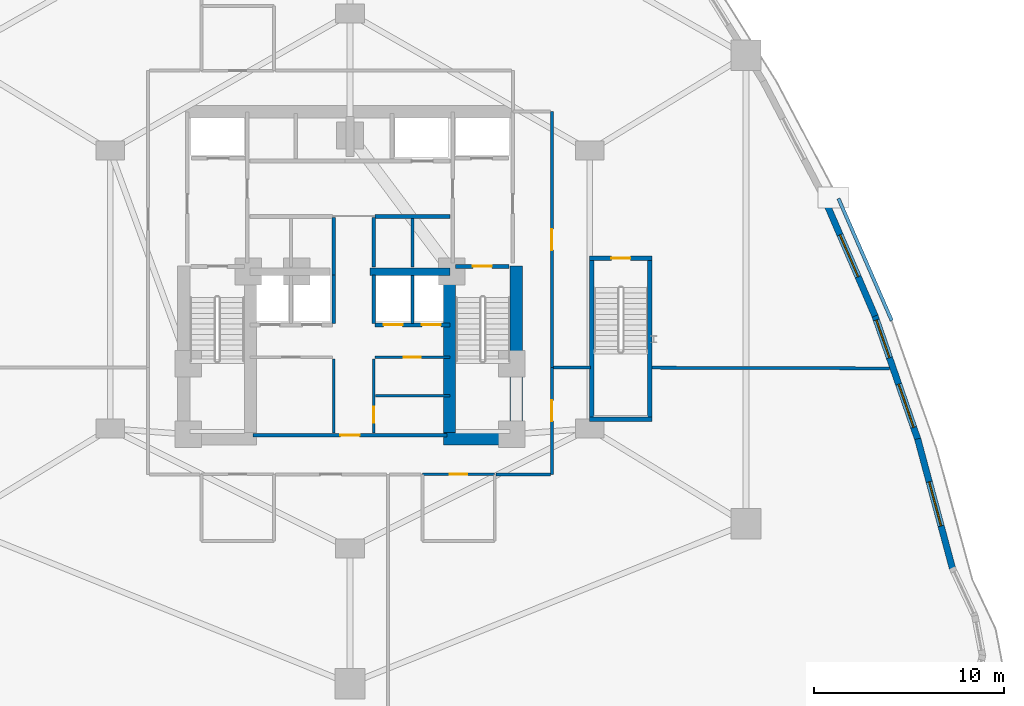
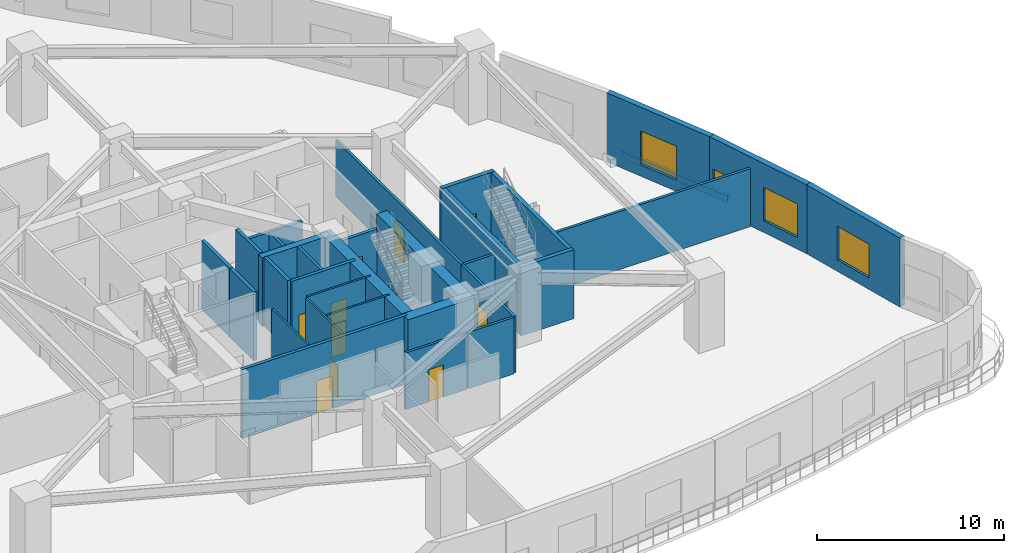
# One storey, part 16 of 23: 32 walls, 10 doors, 4 windows, 14 openings.
"""IFC4 building model written with IfcOpenShell, lengths in metres."""

from ifc_helpers import new_model, si_unit, direction, frame, frame_2d, origin, place, context, subcontext, project, spatial, rectangle, extrude, material, layer, layer_set, type_object, element, fill, save


model = new_model("IFC4")

# Units and contexts
model_context = context("Model", 3, precision=1e-05, world=origin(), true_north=direction((0.0, 1.0)))
body_context = subcontext(model_context, "Body", "Model", "MODEL_VIEW")
ifc_project = project(units=[si_unit("LENGTHUNIT", "METRE"), si_unit("AREAUNIT", "SQUARE_METRE"), si_unit("VOLUMEUNIT", "CUBIC_METRE"), si_unit("PLANEANGLEUNIT", "RADIAN"), si_unit("MASSUNIT", "GRAM", prefix="KILO")], contexts=[model_context])

# Site, building, storey
site_placement = place(None, origin())
site = spatial("IfcSite", under=ifc_project, at=site_placement, CompositionType="ELEMENT")
building_placement = place(site_placement, origin())
building = spatial("IfcBuilding", under=site, at=building_placement, Name="Miruveldt Soraemaru", CompositionType="ELEMENT")
storey_placement = place(building_placement, frame((0.0, 0.0, 14.39990234375)))
storey = spatial("IfcBuildingStorey", under=building, at=storey_placement, Name="L04", CompositionType="ELEMENT", Elevation=14.39990234375)

# Wall
ifc_material_1 = material(Name="Concrete C70/85 (70 MPa)", Category="concrete")
ifc_layer_1 = layer(ifc_material_1, 0.5, Name="Concrete C70/85 (70 MPa)", Category="concrete")
ifc_layer_set_1 = layer_set([ifc_layer_1], Name="Concrete C70/85 (70 MPa)")
wall_type_1 = type_object("IfcWallType", Name="WALL-BW-500", PredefinedType="SHEAR", material=ifc_layer_set_1)
wall_1_placement = place(storey_placement, frame((45.050048828125, 44.050048828125, 0.0), z_axis=(0.0, 0.0, 1.0), x_axis=(1.0, 0.0, 0.0)))
element("IfcWall", 1, at=wall_1_placement, inside=storey, type_object=wall_type_1, Name="L04 Core Buttress Shear Wall BE", PredefinedType="SHEAR", context=body_context, shape_type="SweptSolid", body=[
    extrude(rectangle(XDim=4.199951171875, YDim=0.39990234375, at=frame_2d((2.10009765625, 0.0))), origin(), (0.0, 0.0, 1.0), 4.5),
])

# Wall, opening, door
ifc_material_2 = material(Name="Concrete C50/60 (50 MPa)", Category="concrete")
ifc_layer_2 = layer(ifc_material_2, 0.419921875, Name="Concrete C50/60 (50 MPa)", Category="concrete")
ifc_layer_set_2 = layer_set([ifc_layer_2], Name="Concrete C50/60 (50 MPa)")
wall_type_2 = type_object("IfcWallType", Name="WALL-CW-420", PredefinedType="SHEAR", material=ifc_layer_set_2)
wall_2_placement = place(storey_placement, frame((56.580078125, 44.75, 0.0), z_axis=(0.0, 0.0, 1.0), x_axis=(1.0, 0.0, 0.0)))
wall_2 = element("IfcWall", 2, at=wall_2_placement, inside=storey, type_object=wall_type_2, Name="L04 Podium Garden Feature Stair ST-4 Structural Shaft Wall N", PredefinedType="SHEAR", context=body_context, shape_type="SweptSolid", body=[
    extrude(rectangle(XDim=3.2900390625, YDim=0.239990234375, at=frame_2d((1.64501953125, 0.0))), origin(), (0.0, 0.0, 1.0), 4.5),
])
opening_1_placement = place(wall_2_placement, frame((1.14501953125, 0.0, 0.0)))
opening_1 = element("IfcOpeningElement", 3, at=opening_1_placement, cuts=wall_2, Name="Opening FD1", PredefinedType="OPENING", context=body_context, shape_type="SweptSolid", body=[
    extrude(rectangle(XDim=1.0, YDim=2.14990234375, at=frame_2d((0.5, 1.074951171875))), frame((0.0, 0.1298828125, 0.0), z_axis=(0.0, -1.0, 0.0), x_axis=(1.0, 0.0, 0.0)), (0.0, 0.0, 1.0), 0.260009765625),
])
ifc_material_3 = material(Name="Anodised aluminium EN AW-6063 T6", Category="aluminium")
door_type_1 = type_object("IfcDoorType", Name="DOOR-FD1-1000", OperationType="NOTDEFINED", PredefinedType="DOOR", material=ifc_material_3)
door_1_placement = place(opening_1_placement, frame((1.0, 0.0, 0.0), z_axis=(0.0, 0.0, 1.0), x_axis=(-1.0, 0.0, 0.0)))
door_1 = element("IfcDoor", 4, at=door_1_placement, inside=storey, type_object=door_type_1, Name="L04 Podium Garden Feature Stair ST-4 Fire Door", OperationType="SINGLE_SWING_LEFT", OverallHeight=2.14990234375, OverallWidth=1.0, PredefinedType="DOOR", context=body_context, shape_type="SweptSolid", body=[
    extrude(rectangle(XDim=1.0, YDim=2.14990234375, at=frame_2d((0.5, 1.074951171875))), frame((0.0, 0.02490234375, 0.0), z_axis=(0.0, -1.0, 0.0), x_axis=(1.0, 0.0, 0.0)), (0.0, 0.0, 1.0), 0.050048828125),
])
fill(opening_1, door_1)

# Walls
for number, where, z_axis, x_axis, name in (
    (5, (56.699951171875, 36.35009765625, 0.0), (0.0, 0.0, 1.0), (0.0, 1.0, 0.0), "L04 Podium Garden Feature Stair ST-4 Structural Shaft Wall W"),
    (6, (59.75, 36.35009765625, 0.0), (0.0, 0.0, 1.0), (0.0, 1.0, 0.0), "L04 Podium Garden Feature Stair ST-4 Structural Shaft Wall E"),
):
    element("IfcWall", number, at=place(storey_placement, frame(where, z_axis=z_axis, x_axis=x_axis)), inside=storey, type_object=wall_type_2, Name=name, PredefinedType="SHEAR", context=body_context, shape_type="SweptSolid", body=[
        extrude(rectangle(XDim=8.349853515625, YDim=0.239990234375, at=frame_2d((4.1748046875, 0.0))), origin(), (0.0, 0.0, 1.0), 4.5),
    ])
wall_3_placement = place(storey_placement, frame((56.580078125, 36.300048828125, 0.0), z_axis=(0.0, 0.0, 1.0), x_axis=(1.0, 0.0, 0.0)))
element("IfcWall", 7, at=wall_3_placement, inside=storey, type_object=wall_type_2, Name="L04 Podium Garden Feature Stair ST-4 Structural Shaft Wall S", PredefinedType="SHEAR", context=body_context, shape_type="SweptSolid", body=[
    extrude(rectangle(XDim=3.2900390625, YDim=0.239990234375, at=frame_2d((1.64501953125, 0.0))), origin(), (0.0, 0.0, 1.0), 4.5),
])
ifc_material_4 = material(Name="Concrete C80/95 (80 MPa)", Category="concrete")
ifc_layer_3 = layer(ifc_material_4, 0.64990234375, Name="Concrete C80/95 (80 MPa)", Category="concrete")
ifc_layer_set_3 = layer_set([ifc_layer_3], Name="Concrete C80/95 (80 MPa)")
wall_type_3 = type_object("IfcWallType", Name="WALL-CW-650", PredefinedType="SHEAR", material=ifc_layer_set_3)
wall_4_placement = place(storey_placement, frame((48.89990234375, 35.27490234375, 0.0), z_axis=(0.0, 0.0, 1.0), x_axis=(1.0, 0.0, 0.0)))
element("IfcWall", 8, at=wall_4_placement, inside=storey, type_object=wall_type_3, Name="L04 Central Core Shear Wall S2", PredefinedType="SHEAR", context=body_context, shape_type="SweptSolid", body=[
    extrude(rectangle(XDim=4.150146484375, YDim=0.64990234375, at=frame_2d((2.0751953125, 0.0))), origin(), (0.0, 0.0, 1.0), 4.5),
])
wall_5_placement = place(storey_placement, frame((52.72509765625, 34.949951171875, 0.0), z_axis=(0.0, 0.0, 1.0), x_axis=(0.0, 1.0, 0.0)))
element("IfcWall", 9, at=wall_5_placement, inside=storey, type_object=wall_type_3, Name="L04 Central Core Shear Wall E1", PredefinedType="SHEAR", context=body_context, shape_type="SweptSolid", body=[
    extrude(rectangle(XDim=9.400146484375, YDim=0.64990234375, at=frame_2d((4.7001953125, 0.0))), origin(), (0.0, 0.0, 1.0), 4.5),
])
wall_6_placement = place(storey_placement, frame((49.22509765625, 35.39990234375, 0.0), z_axis=(0.0, 0.0, 1.0), x_axis=(0.0, 1.0, 0.0)))
element("IfcWall", 10, at=wall_6_placement, inside=storey, type_object=wall_type_3, Name="L04 Central Core Shear Wall SE-INT", PredefinedType="SHEAR", context=body_context, shape_type="SweptSolid", body=[
    extrude(rectangle(XDim=8.9501953125, YDim=0.64990234375, at=frame_2d((4.47509765625, 0.0))), origin(), (0.0, 0.0, 1.0), 4.5),
])

# Wall, opening, window
ifc_material_5 = material(Name="Precast concrete C45/55 (45 MPa)", Category="concrete")
ifc_layer_4 = layer(ifc_material_5, 0.340087890625, Name="Precast concrete C45/55 (45 MPa)", Category="concrete")
ifc_layer_set_4 = layer_set([ifc_layer_4], Name="Precast concrete C45/55 (45 MPa)")
wall_type_4 = type_object("IfcWallType", Name="WALL-EXT-PC340", PredefinedType="SOLIDWALL", material=ifc_layer_set_4)
wall_7_placement = place(storey_placement, frame((75.65380859375, 28.427978515625, 0.0), z_axis=(0.0, 0.0, 1.0), x_axis=(-0.259611089852, 0.965713250414, 0.0)))
wall_7 = element("IfcWall", 11, at=wall_7_placement, inside=storey, type_object=wall_type_4, Name="L04 Precast Concrete Facade Wall 35", PredefinedType="SOLIDWALL", context=body_context, shape_type="SweptSolid", body=[
    extrude(rectangle(XDim=7.079345703125, YDim=0.340087890625, at=frame_2d((3.53955078125, 0.0))), origin(), (0.0, 0.0, 1.0), 4.5),
])
opening_2_placement = place(wall_7_placement, frame((2.340087890625, 0.0, 0.75)))
opening_2 = element("IfcOpeningElement", 12, at=opening_2_placement, cuts=wall_7, Name="Opening WN-5", PredefinedType="OPENING", context=body_context, shape_type="SweptSolid", body=[
    extrude(rectangle(XDim=2.39990234375, YDim=2.199951171875, at=frame_2d((1.199951171875, 1.10009765625))), frame((0.0, 0.18017578125, 0.0), z_axis=(0.0, -1.0, 0.0), x_axis=(1.0, 0.0, 0.0)), (0.0, 0.0, 1.0), 0.360107421875),
])
ifc_material_6 = material(Name="Triple low-e insulated glazing", Category="glass")
window_type_1 = type_object("IfcWindowType", Name="WIN-PODM-2400x2200", PartitioningType="SINGLE_PANEL", PredefinedType="WINDOW", material=ifc_material_6)
window_1_placement = place(opening_2_placement, origin())
window_1 = element("IfcWindow", 13, at=window_1_placement, inside=storey, type_object=window_type_1, Name="L04 Punched Triple-Glazed Window 35.1", OverallHeight=2.199951171875, OverallWidth=2.39990234375, PartitioningType="SINGLE_PANEL", PredefinedType="WINDOW", context=body_context, shape_type="SweptSolid", body=[
    extrude(rectangle(XDim=2.39990234375, YDim=2.199951171875, at=frame_2d((1.199951171875, 1.10009765625))), frame((0.0, 0.030029296875, 0.0), z_axis=(0.0, -1.0, 0.0), x_axis=(1.0, 0.0, 0.0)), (0.0, 0.0, 1.0), 0.06005859375),
])
fill(opening_2, window_1)

# Wall, openings, windows
wall_8_placement = place(storey_placement, frame((73.836669921875, 35.19775390625, 0.0), z_axis=(0.0, 0.0, 1.0), x_axis=(-0.327819293653, 0.944740446212, 0.0)))
wall_8 = element("IfcWall", 14, at=wall_8_placement, inside=storey, type_object=wall_type_4, Name="L04 Precast Concrete Facade Wall 36", PredefinedType="SOLIDWALL", context=body_context, shape_type="SweptSolid", body=[
    extrude(rectangle(XDim=6.9677734375, YDim=0.340087890625, at=frame_2d((3.48388671875, 0.0))), origin(), (0.0, 0.0, 1.0), 4.5),
])
opening_3_placement = place(wall_8_placement, frame((0.7060546875, 0.0, 0.75)))
opening_3 = element("IfcOpeningElement", 15, at=opening_3_placement, cuts=wall_8, Name="Opening WN-5", PredefinedType="OPENING", context=body_context, shape_type="SweptSolid", body=[
    extrude(rectangle(XDim=2.39990234375, YDim=2.199951171875, at=frame_2d((1.199951171875, 1.10009765625))), frame((0.0, 0.18017578125, 0.0), z_axis=(0.0, -1.0, 0.0), x_axis=(1.0, 0.0, 0.0)), (0.0, 0.0, 1.0), 0.360107421875),
])
opening_4_placement = place(wall_8_placement, frame((4.580078125, 0.0, 0.800048828125)))
opening_4 = element("IfcOpeningElement", 16, at=opening_4_placement, cuts=wall_8, Name="Opening WN-1", PredefinedType="OPENING", context=body_context, shape_type="SweptSolid", body=[
    extrude(rectangle(XDim=2.10009765625, YDim=1.699951171875, at=frame_2d((1.050048828125, 0.85009765625))), frame((0.0, 0.18017578125, 0.0), z_axis=(0.0, -1.0, 0.0), x_axis=(1.0, 0.0, 0.0)), (0.0, 0.0, 1.0), 0.360107421875),
])
window_2_placement = place(opening_3_placement, origin())
window_2 = element("IfcWindow", 17, at=window_2_placement, inside=storey, type_object=window_type_1, Name="L04 Punched Triple-Glazed Window 36.1", OverallHeight=2.199951171875, OverallWidth=2.39990234375, PartitioningType="SINGLE_PANEL", PredefinedType="WINDOW", context=body_context, shape_type="SweptSolid", body=[
    extrude(rectangle(XDim=2.39990234375, YDim=2.199951171875, at=frame_2d((1.199951171875, 1.10009765625))), frame((0.0, 0.030029296875, 0.0), z_axis=(0.0, -1.0, 0.0), x_axis=(1.0, 0.0, 0.0)), (0.0, 0.0, 1.0), 0.06005859375),
])
fill(opening_3, window_2)
window_type_2 = type_object("IfcWindowType", Name="WIN-PUNCH-2100x1700", PartitioningType="SINGLE_PANEL", PredefinedType="WINDOW", material=ifc_material_6)
window_3_placement = place(opening_4_placement, origin())
window_3 = element("IfcWindow", 18, at=window_3_placement, inside=storey, type_object=window_type_2, Name="L04 Punched Triple-Glazed Window 36.2", OverallHeight=1.699951171875, OverallWidth=2.10009765625, PartitioningType="SINGLE_PANEL", PredefinedType="WINDOW", context=body_context, shape_type="SweptSolid", body=[
    extrude(rectangle(XDim=2.10009765625, YDim=1.699951171875, at=frame_2d((1.050048828125, 0.85009765625))), frame((0.0, 0.030029296875, 0.0), z_axis=(0.0, -1.0, 0.0), x_axis=(1.0, 0.0, 0.0)), (0.0, 0.0, 1.0), 0.06005859375),
])
fill(opening_4, window_3)

# Wall, opening, window
wall_9_placement = place(storey_placement, frame((71.577880859375, 41.71533203125, 0.0), z_axis=(0.0, 0.0, 1.0), x_axis=(-0.396089940266, 0.91821171808, 0.0)))
wall_9 = element("IfcWall", 19, at=wall_9_placement, inside=storey, type_object=wall_type_4, Name="L04 Precast Concrete Facade Wall 37", PredefinedType="SOLIDWALL", context=body_context, shape_type="SweptSolid", body=[
    extrude(rectangle(XDim=6.892333984375, YDim=0.340087890625, at=frame_2d((3.4462890625, 0.0))), origin(), (0.0, 0.0, 1.0), 4.5),
])
opening_5_placement = place(wall_9_placement, frame((2.24609375, 0.0, 0.75)))
opening_5 = element("IfcOpeningElement", 20, at=opening_5_placement, cuts=wall_9, Name="Opening WN-5", PredefinedType="OPENING", context=body_context, shape_type="SweptSolid", body=[
    extrude(rectangle(XDim=2.39990234375, YDim=2.199951171875, at=frame_2d((1.199951171875, 1.10009765625))), frame((0.0, 0.18017578125, 0.0), z_axis=(0.0, -1.0, 0.0), x_axis=(1.0, 0.0, 0.0)), (0.0, 0.0, 1.0), 0.360107421875),
])
window_4_placement = place(opening_5_placement, origin())
window_4 = element("IfcWindow", 21, at=window_4_placement, inside=storey, type_object=window_type_1, Name="L04 Punched Triple-Glazed Window 37.1", OverallHeight=2.199951171875, OverallWidth=2.39990234375, PartitioningType="SINGLE_PANEL", PredefinedType="WINDOW", context=body_context, shape_type="SweptSolid", body=[
    extrude(rectangle(XDim=2.39990234375, YDim=2.199951171875, at=frame_2d((1.199951171875, 1.10009765625))), frame((0.0, 0.030029296875, 0.0), z_axis=(0.0, -1.0, 0.0), x_axis=(1.0, 0.0, 0.0)), (0.0, 0.0, 1.0), 0.06005859375),
])
fill(opening_5, window_4)

# Wall, opening, door
ifc_material_7 = material(Name="Gypsum plasterboard lining", Category="gypsum")
ifc_layer_5 = layer(ifc_material_7, 0.1201171875, Name="Gypsum plasterboard lining", Category="gypsum")
ifc_layer_set_5 = layer_set([ifc_layer_5], Name="Gypsum plasterboard lining")
wall_type_5 = type_object("IfcWallType", Name="WALL-INT-P120", PredefinedType="PARTITIONING", material=ifc_layer_set_5)
wall_10_placement = place(storey_placement, frame((45.320068359375, 39.550048828125, 0.0), z_axis=(0.0, 0.0, 1.0), x_axis=(1.0, 0.0, 0.0)))
wall_10 = element("IfcWall", 22, at=wall_10_placement, inside=storey, type_object=wall_type_5, Name="L04 Core Compartment Wall CSE-N", PredefinedType="PARTITIONING", context=body_context, shape_type="SweptSolid", body=[
    extrude(rectangle(XDim=3.929931640625, YDim=0.1201171875, at=frame_2d((1.96484375, 0.0))), origin(), (0.0, 0.0, 1.0), 4.5),
])
opening_6_placement = place(wall_10_placement, frame((1.510009765625, 0.0, 0.0)))
opening_6 = element("IfcOpeningElement", 23, at=opening_6_placement, cuts=wall_10, Name="Opening D4", PredefinedType="OPENING", context=body_context, shape_type="SweptSolid", body=[
    extrude(rectangle(XDim=0.8798828125, YDim=2.10009765625, at=frame_2d((0.43994140625, 1.050048828125))), frame((0.0, 0.070068359375, 0.0), z_axis=(0.0, -1.0, 0.0), x_axis=(1.0, 0.0, 0.0)), (0.0, 0.0, 1.0), 0.14013671875),
])
door_type_2 = type_object("IfcDoorType", Name="DOOR-INT-880", OperationType="NOTDEFINED", PredefinedType="DOOR", material=ifc_material_3)
door_2_placement = place(opening_6_placement, origin())
door_2 = element("IfcDoor", 24, at=door_2_placement, inside=storey, type_object=door_type_2, Name="L04 Fire Door", OperationType="SINGLE_SWING_LEFT", OverallHeight=2.10009765625, OverallWidth=0.8798828125, PredefinedType="DOOR", context=body_context, shape_type="SweptSolid", body=[
    extrude(rectangle(XDim=0.8798828125, YDim=2.10009765625, at=frame_2d((0.43994140625, 1.050048828125))), frame((0.0, 0.02490234375, 0.0), z_axis=(0.0, -1.0, 0.0), x_axis=(1.0, 0.0, 0.0)), (0.0, 0.0, 1.0), 0.050048828125),
])
fill(opening_6, door_2)

wall_11_placement = place(storey_placement, frame((45.25, 35.580078125, 0.0), z_axis=(0.0, 0.0, 1.0), x_axis=(0.0, 1.0, 0.0)))
wall_11 = element("IfcWall", 25, at=wall_11_placement, inside=storey, type_object=wall_type_5, Name="L04 Core Compartment Wall SP-ES", PredefinedType="PARTITIONING", context=body_context, shape_type="SweptSolid", body=[
    extrude(rectangle(XDim=3.869873046875, YDim=0.1201171875, at=frame_2d((1.93505859375, 0.0))), origin(), (0.0, 0.0, 1.0), 4.5),
])
opening_7_placement = place(wall_11_placement, frame((0.52490234375, 0.0, 0.0)))
opening_7 = element("IfcOpeningElement", 26, at=opening_7_placement, cuts=wall_11, Name="Opening FD3", PredefinedType="OPENING", context=body_context, shape_type="SweptSolid", body=[
    extrude(rectangle(XDim=0.85009765625, YDim=2.10009765625, at=frame_2d((0.425048828125, 1.050048828125))), frame((0.0, 0.070068359375, 0.0), z_axis=(0.0, -1.0, 0.0), x_axis=(1.0, 0.0, 0.0)), (0.0, 0.0, 1.0), 0.14013671875),
])
door_type_3 = type_object("IfcDoorType", Name="DOOR-FD3-850", OperationType="NOTDEFINED", PredefinedType="DOOR", material=ifc_material_3)
door_3_placement = place(opening_7_placement, frame((0.85009765625, 0.0, 0.0), z_axis=(0.0, 0.0, 1.0), x_axis=(-1.0, 0.0, 0.0)))
door_3 = element("IfcDoor", 27, at=door_3_placement, inside=storey, type_object=door_type_3, Name="L04 Fire Door", OperationType="SINGLE_SWING_LEFT", OverallHeight=2.10009765625, OverallWidth=0.85009765625, PredefinedType="DOOR", context=body_context, shape_type="SweptSolid", body=[
    extrude(rectangle(XDim=0.85009765625, YDim=2.10009765625, at=frame_2d((0.425048828125, 1.050048828125))), frame((0.0, 0.02490234375, 0.0), z_axis=(0.0, -1.0, 0.0), x_axis=(1.0, 0.0, 0.0)), (0.0, 0.0, 1.0), 0.050048828125),
])
fill(opening_7, door_3)

# Walls
wall_12_placement = place(storey_placement, frame((45.35009765625, 37.52001953125, 0.0), z_axis=(0.0, 0.0, 1.0), x_axis=(1.0, 0.0, 0.0)))
element("IfcWall", 28, at=wall_12_placement, inside=storey, type_object=wall_type_5, Name="L04 Core Compartment Wall CE3-H", PredefinedType="PARTITIONING", context=body_context, shape_type="SweptSolid", body=[
    extrude(rectangle(XDim=3.89990234375, YDim=0.1201171875, at=frame_2d((1.949951171875, 0.0))), origin(), (0.0, 0.0, 1.0), 4.5),
])
wall_13_placement = place(storey_placement, frame((43.14990234375, 35.580078125, 0.0), z_axis=(0.0, 0.0, 1.0), x_axis=(0.0, 1.0, 0.0)))
element("IfcWall", 29, at=wall_13_placement, inside=storey, type_object=wall_type_5, Name="L04 Core Compartment Wall SP-WS", PredefinedType="PARTITIONING", context=body_context, shape_type="SweptSolid", body=[
    extrude(rectangle(XDim=3.869873046875, YDim=0.1201171875, at=frame_2d((1.93505859375, 0.0))), origin(), (0.0, 0.0, 1.0), 4.5),
])

# Wall, opening, door
ifc_layer_6 = layer(ifc_material_7, 0.14990234375, Name="Gypsum plasterboard lining", Category="gypsum")
ifc_layer_set_6 = layer_set([ifc_layer_6], Name="Gypsum plasterboard lining")
wall_type_6 = type_object("IfcWallType", Name="WALL-INT-PLUMB", PredefinedType="PLUMBINGWALL", material=ifc_layer_set_6)
wall_14_placement = place(storey_placement, frame((47.800048828125, 33.39990234375, 0.0), z_axis=(0.0, 0.0, 1.0), x_axis=(1.0, 0.0, 0.0)))
wall_14 = element("IfcWall", 30, at=wall_14_placement, inside=storey, type_object=wall_type_6, Name="L04 Partition Wall 3", PredefinedType="PLUMBINGWALL", context=body_context, shape_type="SweptSolid", body=[
    extrude(rectangle(XDim=3.800048828125, YDim=0.14990234375, at=frame_2d((1.89990234375, 0.0))), origin(), (0.0, 0.0, 1.0), 3.68798828125),
])
opening_8_placement = place(wall_14_placement, frame((1.449951171875, 0.0, 0.0)))
opening_8 = element("IfcOpeningElement", 31, at=opening_8_placement, cuts=wall_14, Name="Opening D3", PredefinedType="OPENING", context=body_context, shape_type="SweptSolid", body=[
    extrude(rectangle(XDim=0.89990234375, YDim=2.10009765625, at=frame_2d((0.449951171875, 1.050048828125))), frame((0.0, 0.0849609375, 0.0), z_axis=(0.0, -1.0, 0.0), x_axis=(1.0, 0.0, 0.0)), (0.0, 0.0, 1.0), 0.169921875),
])
door_type_4 = type_object("IfcDoorType", Name="DOOR-INT-900", OperationType="NOTDEFINED", PredefinedType="DOOR", material=ifc_material_3)
door_4_placement = place(opening_8_placement, origin())
door_4 = element("IfcDoor", 32, at=door_4_placement, inside=storey, type_object=door_type_4, Name="L04 Accessible WC Door", OperationType="SINGLE_SWING_RIGHT", OverallHeight=2.10009765625, OverallWidth=0.89990234375, PredefinedType="DOOR", context=body_context, shape_type="SweptSolid", body=[
    extrude(rectangle(XDim=0.89990234375, YDim=2.10009765625, at=frame_2d((0.449951171875, 1.050048828125))), frame((0.0, 0.02490234375, 0.0), z_axis=(0.0, -1.0, 0.0), x_axis=(1.0, 0.0, 0.0)), (0.0, 0.0, 1.0), 0.050048828125),
])
fill(opening_8, door_4)

ifc_material_8 = material(Name="Concrete C40/50 (40 MPa)", Category="concrete")
ifc_layer_7 = layer(ifc_material_8, 0.159912109375, Name="Concrete C40/50 (40 MPa)", Category="concrete")
ifc_layer_set_7 = layer_set([ifc_layer_7], Name="Concrete C40/50 (40 MPa)")
wall_type_7 = type_object("IfcWallType", Name="WALL-INT-RC160", PredefinedType="SOLIDWALL", material=ifc_layer_set_7)
wall_15_placement = place(storey_placement, frame((54.60009765625, 39.0, 0.0), z_axis=(0.0, 0.0, 1.0), x_axis=(0.0, 1.0, 0.0)))
wall_15 = element("IfcWall", 33, at=wall_15_placement, inside=storey, type_object=wall_type_7, Name="L04 Partition Wall 12", PredefinedType="SOLIDWALL", context=body_context, shape_type="SweptSolid", body=[
    extrude(rectangle(XDim=13.449951171875, YDim=0.159912109375, at=frame_2d((6.72509765625, 0.0))), origin(), (0.0, 0.0, 1.0), 3.68798828125),
])
opening_9_placement = place(wall_15_placement, frame((6.175048828125, 0.0, 0.0)))
opening_9 = element("IfcOpeningElement", 34, at=opening_9_placement, cuts=wall_15, Name="Opening FD1A", PredefinedType="OPENING", context=body_context, shape_type="SweptSolid", body=[
    extrude(rectangle(XDim=1.10009765625, YDim=2.14990234375, at=frame_2d((0.550048828125, 1.074951171875))), frame((0.0, 0.08984375, 0.0), z_axis=(0.0, -1.0, 0.0), x_axis=(1.0, 0.0, 0.0)), (0.0, 0.0, 1.0), 0.179931640625),
])
door_type_5 = type_object("IfcDoorType", Name="DOOR-FD1-1100", OperationType="NOTDEFINED", PredefinedType="DOOR", material=ifc_material_3)
door_5_placement = place(opening_9_placement, origin())
door_5 = element("IfcDoor", 35, at=door_5_placement, inside=storey, type_object=door_type_5, Name="L04 Garden Terrace Tea Salon Entrance Door", OperationType="SINGLE_SWING_RIGHT", OverallHeight=2.14990234375, OverallWidth=1.10009765625, PredefinedType="DOOR", context=body_context, shape_type="SweptSolid", body=[
    extrude(rectangle(XDim=1.10009765625, YDim=2.14990234375, at=frame_2d((0.550048828125, 1.074951171875))), frame((0.0, 0.02490234375, 0.0), z_axis=(0.0, -1.0, 0.0), x_axis=(1.0, 0.0, 0.0)), (0.0, 0.0, 1.0), 0.050048828125),
])
fill(opening_9, door_5)

wall_16_placement = place(storey_placement, frame((54.60009765625, 33.39990234375, 0.0), z_axis=(0.0, 0.0, 1.0), x_axis=(0.0, 1.0, 0.0)))
wall_16 = element("IfcWall", 36, at=wall_16_placement, inside=storey, type_object=wall_type_7, Name="L04 Partition Wall 9", PredefinedType="SOLIDWALL", context=body_context, shape_type="SweptSolid", body=[
    extrude(rectangle(XDim=5.60009765625, YDim=0.159912109375, at=frame_2d((2.800048828125, 0.0))), origin(), (0.0, 0.0, 1.0), 3.68798828125),
])
opening_10_placement = place(wall_16_placement, frame((2.7900390625, 0.0, 0.0)))
opening_10 = element("IfcOpeningElement", 37, at=opening_10_placement, cuts=wall_16, Name="Opening FD1A", PredefinedType="OPENING", context=body_context, shape_type="SweptSolid", body=[
    extrude(rectangle(XDim=1.10009765625, YDim=2.14990234375, at=frame_2d((0.550048828125, 1.074951171875))), frame((0.0, 0.08984375, 0.0), z_axis=(0.0, -1.0, 0.0), x_axis=(1.0, 0.0, 0.0)), (0.0, 0.0, 1.0), 0.179931640625),
])
door_6_placement = place(opening_10_placement, origin())
door_6 = element("IfcDoor", 38, at=door_6_placement, inside=storey, type_object=door_type_5, Name="L04 Acoustic Music and Seminar Room Entrance Door", OperationType="SINGLE_SWING_RIGHT", OverallHeight=2.14990234375, OverallWidth=1.10009765625, PredefinedType="DOOR", context=body_context, shape_type="SweptSolid", body=[
    extrude(rectangle(XDim=1.10009765625, YDim=2.14990234375, at=frame_2d((0.550048828125, 1.074951171875))), frame((0.0, 0.02490234375, 0.0), z_axis=(0.0, -1.0, 0.0), x_axis=(1.0, 0.0, 0.0)), (0.0, 0.0, 1.0), 0.050048828125),
])
fill(opening_10, door_6)

# Walls
wall_17_placement = place(storey_placement, frame((72.333984375, 38.965087890625, 0.0), z_axis=(0.0, 0.0, 1.0), x_axis=(-0.999996102122, 0.002792085337, 0.0)))
element("IfcWall", 39, at=wall_17_placement, inside=storey, type_object=wall_type_7, Name="L04 Partition Wall 28", PredefinedType="SOLIDWALL", context=body_context, shape_type="SweptSolid", body=[
    extrude(rectangle(XDim=12.50390625, YDim=0.159912109375, at=frame_2d((6.251953125, 0.0))), origin(), (0.0, 0.0, 1.0), 3.7880859375),
])
wall_18_placement = place(storey_placement, frame((51.679931640625, 33.39990234375, 0.0), z_axis=(0.0, 0.0, 1.0), x_axis=(1.0, 0.0, 0.0)))
element("IfcWall", 40, at=wall_18_placement, inside=storey, type_object=wall_type_7, Name="L04 Partition Wall 8", PredefinedType="SOLIDWALL", context=body_context, shape_type="SweptSolid", body=[
    extrude(rectangle(XDim=2.840087890625, YDim=0.159912109375, at=frame_2d((1.419921875, 0.0))), origin(), (0.0, 0.0, 1.0), 3.68798828125),
])
wall_19_placement = place(storey_placement, frame((47.280029296875, 44.300048828125, 0.0), z_axis=(0.0, 0.0, 1.0), x_axis=(0.0, 1.0, 0.0)))
element("IfcWall", 41, at=wall_19_placement, inside=storey, type_object=wall_type_7, Name="L04 Core Compartment Wall PLM-DE", PredefinedType="SOLIDWALL", context=body_context, shape_type="SweptSolid", body=[
    extrude(rectangle(XDim=2.550048828125, YDim=0.159912109375, at=frame_2d((1.27490234375, 0.0))), origin(), (0.0, 0.0, 1.0), 3.588134765625),
])
wall_20_placement = place(storey_placement, frame((47.280029296875, 41.320068359375, 0.0), z_axis=(0.0, 0.0, 1.0), x_axis=(0.0, 1.0, 0.0)))
element("IfcWall", 42, at=wall_20_placement, inside=storey, type_object=wall_type_7, Name="L04 Core Compartment Wall PLL-DE", PredefinedType="SOLIDWALL", context=body_context, shape_type="SweptSolid", body=[
    extrude(rectangle(XDim=2.530029296875, YDim=0.159912109375, at=frame_2d((1.26513671875, 0.0))), origin(), (0.0, 0.0, 1.0), 4.5),
])
wall_21_placement = place(storey_placement, frame((56.6201171875, 39.0, 0.0), z_axis=(0.0, 0.0, 1.0), x_axis=(-1.0, 0.0, 0.0)))
element("IfcWall", 43, at=wall_21_placement, inside=storey, type_object=wall_type_7, Name="L04 Partition Wall 29", PredefinedType="SOLIDWALL", context=body_context, shape_type="SweptSolid", body=[
    extrude(rectangle(XDim=1.940185546875, YDim=0.159912109375, at=frame_2d((0.97021484375, 0.0))), origin(), (0.0, 0.0, 1.0), 3.68798828125),
])

# Wall, opening, door
ifc_layer_8 = layer(ifc_material_8, 0.199951171875, Name="Concrete C40/50 (40 MPa)", Category="concrete")
ifc_layer_set_8 = layer_set([ifc_layer_8], Name="Concrete C40/50 (40 MPa)")
wall_type_8 = type_object("IfcWallType", Name="WALL-INT-RC200", PredefinedType="SOLIDWALL", material=ifc_layer_set_8)
wall_22_placement = place(storey_placement, frame((38.89990234375, 35.449951171875, 0.0), z_axis=(0.0, 0.0, 1.0), x_axis=(1.0, 0.0, 0.0)))
wall_22 = element("IfcWall", 44, at=wall_22_placement, inside=storey, type_object=wall_type_8, Name="L04 Core Compartment Wall CS-S", PredefinedType="SOLIDWALL", context=body_context, shape_type="SweptSolid", body=[
    extrude(rectangle(XDim=10.2001953125, YDim=0.199951171875, at=frame_2d((5.10009765625, 0.0))), origin(), (0.0, 0.0, 1.0), 4.5),
])
opening_11_placement = place(wall_22_placement, frame((4.60009765625, 0.0, 0.0)))
opening_11 = element("IfcOpeningElement", 45, at=opening_11_placement, cuts=wall_22, Name="Opening FD1", PredefinedType="OPENING", context=body_context, shape_type="SweptSolid", body=[
    extrude(rectangle(XDim=1.0, YDim=2.14990234375, at=frame_2d((0.5, 1.074951171875))), frame((0.0, 0.10986328125, 0.0), z_axis=(0.0, -1.0, 0.0), x_axis=(1.0, 0.0, 0.0)), (0.0, 0.0, 1.0), 0.219970703125),
])
door_7_placement = place(opening_11_placement, origin())
door_7 = element("IfcDoor", 46, at=door_7_placement, inside=storey, type_object=door_type_1, Name="L04 Core South Lobby Fire Door", OperationType="SINGLE_SWING_LEFT", OverallHeight=2.14990234375, OverallWidth=1.0, PredefinedType="DOOR", context=body_context, shape_type="SweptSolid", body=[
    extrude(rectangle(XDim=1.0, YDim=2.14990234375, at=frame_2d((0.5, 1.074951171875))), frame((0.0, 0.02490234375, 0.0), z_axis=(0.0, -1.0, 0.0), x_axis=(1.0, 0.0, 0.0)), (0.0, 0.0, 1.0), 0.050048828125),
])
fill(opening_11, door_7)

# Wall, openings, doors
wall_23_placement = place(storey_placement, frame((45.320068359375, 41.25, 0.0), z_axis=(0.0, 0.0, 1.0), x_axis=(1.0, 0.0, 0.0)))
wall_23 = element("IfcWall", 47, at=wall_23_placement, inside=storey, type_object=wall_type_8, Name="L04 Core Compartment Wall LBE-S", PredefinedType="SOLIDWALL", context=body_context, shape_type="SweptSolid", body=[
    extrude(rectangle(XDim=3.929931640625, YDim=0.199951171875, at=frame_2d((1.96484375, 0.0))), origin(), (0.0, 0.0, 1.0), 4.5),
])
opening_12_placement = place(wall_23_placement, frame((0.449951171875, 0.0, 0.0)))
opening_12 = element("IfcOpeningElement", 48, at=opening_12_placement, cuts=wall_23, Name="Opening LD1B", PredefinedType="OPENING", context=body_context, shape_type="SweptSolid", body=[
    extrude(rectangle(XDim=1.0, YDim=2.14990234375, at=frame_2d((0.5, 1.074951171875))), frame((0.0, 0.10986328125, 0.0), z_axis=(0.0, -1.0, 0.0), x_axis=(1.0, 0.0, 0.0)), (0.0, 0.0, 1.0), 0.219970703125),
])
opening_13_placement = place(wall_23_placement, frame((2.449951171875, 0.0, 0.0)))
opening_13 = element("IfcOpeningElement", 49, at=opening_13_placement, cuts=wall_23, Name="Opening LD1B", PredefinedType="OPENING", context=body_context, shape_type="SweptSolid", body=[
    extrude(rectangle(XDim=1.0, YDim=2.14990234375, at=frame_2d((0.5, 1.074951171875))), frame((0.0, 0.10986328125, 0.0), z_axis=(0.0, -1.0, 0.0), x_axis=(1.0, 0.0, 0.0)), (0.0, 0.0, 1.0), 0.219970703125),
])
door_type_6 = type_object("IfcDoorType", Name="DOOR-LD1-1000", OperationType="SLIDING_TO_LEFT", PredefinedType="DOOR", material=ifc_material_3)
door_8_placement = place(opening_12_placement, frame((1.0, 0.0, 0.0), z_axis=(0.0, 0.0, 1.0), x_axis=(-1.0, 0.0, 0.0)))
door_8 = element("IfcDoor", 50, at=door_8_placement, inside=storey, type_object=door_type_6, Name="L04 PL-L3 Landing Door", OperationType="SLIDING_TO_LEFT", OverallHeight=2.14990234375, OverallWidth=1.0, PredefinedType="DOOR", context=body_context, shape_type="SweptSolid", body=[
    extrude(rectangle(XDim=1.0, YDim=2.14990234375, at=frame_2d((0.5, 1.074951171875))), frame((0.0, 0.02490234375, 0.0), z_axis=(0.0, -1.0, 0.0), x_axis=(1.0, 0.0, 0.0)), (0.0, 0.0, 1.0), 0.050048828125),
])
fill(opening_12, door_8)
door_9_placement = place(opening_13_placement, frame((1.0, 0.0, 0.0), z_axis=(0.0, 0.0, 1.0), x_axis=(-1.0, 0.0, 0.0)))
door_9 = element("IfcDoor", 51, at=door_9_placement, inside=storey, type_object=door_type_6, Name="L04 PL-L4 Landing Door", OperationType="SLIDING_TO_LEFT", OverallHeight=2.14990234375, OverallWidth=1.0, PredefinedType="DOOR", context=body_context, shape_type="SweptSolid", body=[
    extrude(rectangle(XDim=1.0, YDim=2.14990234375, at=frame_2d((0.5, 1.074951171875))), frame((0.0, 0.02490234375, 0.0), z_axis=(0.0, -1.0, 0.0), x_axis=(1.0, 0.0, 0.0)), (0.0, 0.0, 1.0), 0.050048828125),
])
fill(opening_13, door_9)

# Wall, opening, door
wall_24_placement = place(storey_placement, frame((49.550048828125, 44.320068359375, 0.0), z_axis=(0.0, 0.0, 1.0), x_axis=(1.0, 0.0, 0.0)))
wall_24 = element("IfcWall", 52, at=wall_24_placement, inside=storey, type_object=wall_type_8, Name="L04 Core Compartment Wall ST2-N", PredefinedType="SOLIDWALL", context=body_context, shape_type="SweptSolid", body=[
    extrude(rectangle(XDim=2.800048828125, YDim=0.199951171875, at=frame_2d((1.39990234375, 0.0))), origin(), (0.0, 0.0, 1.0), 3.588134765625),
])
opening_14_placement = place(wall_24_placement, frame((0.89990234375, 0.0, 0.0)))
opening_14 = element("IfcOpeningElement", 53, at=opening_14_placement, cuts=wall_24, Name="Opening FD1", PredefinedType="OPENING", context=body_context, shape_type="SweptSolid", body=[
    extrude(rectangle(XDim=1.0, YDim=2.14990234375, at=frame_2d((0.5, 1.074951171875))), frame((0.0, 0.10986328125, 0.0), z_axis=(0.0, -1.0, 0.0), x_axis=(1.0, 0.0, 0.0)), (0.0, 0.0, 1.0), 0.219970703125),
])
door_10_placement = place(opening_14_placement, frame((1.0, 0.0, 0.0), z_axis=(0.0, 0.0, 1.0), x_axis=(-1.0, 0.0, 0.0)))
door_10 = element("IfcDoor", 54, at=door_10_placement, inside=storey, type_object=door_type_1, Name="L04 Stair ST-2 Fire Door", OperationType="SINGLE_SWING_RIGHT", OverallHeight=2.14990234375, OverallWidth=1.0, PredefinedType="DOOR", context=body_context, shape_type="SweptSolid", body=[
    extrude(rectangle(XDim=1.0, YDim=2.14990234375, at=frame_2d((0.5, 1.074951171875))), frame((0.0, 0.02490234375, 0.0), z_axis=(0.0, -1.0, 0.0), x_axis=(1.0, 0.0, 0.0)), (0.0, 0.0, 1.0), 0.050048828125),
])
fill(opening_14, door_10)

# Walls
wall_25_placement = place(storey_placement, frame((45.320068359375, 46.949951171875, 0.0), z_axis=(0.0, 0.0, 1.0), x_axis=(1.0, 0.0, 0.0)))
element("IfcWall", 55, at=wall_25_placement, inside=storey, type_object=wall_type_8, Name="L04 Core Compartment Wall MBE-N", PredefinedType="SOLIDWALL", context=body_context, shape_type="SweptSolid", body=[
    extrude(rectangle(XDim=3.929931640625, YDim=0.199951171875, at=frame_2d((1.96484375, 0.0))), origin(), (0.0, 0.0, 1.0), 3.588134765625),
])
wall_26_placement = place(storey_placement, frame((43.14990234375, 43.8798828125, 0.0), z_axis=(0.0, 0.0, 1.0), x_axis=(0.0, 1.0, 0.0)))
element("IfcWall", 56, at=wall_26_placement, inside=storey, type_object=wall_type_8, Name="L04 Core Compartment Wall SP-WB", PredefinedType="SOLIDWALL", context=body_context, shape_type="SweptSolid", body=[
    extrude(rectangle(XDim=3.0, YDim=0.199951171875, at=frame_2d((1.5, 0.0))), origin(), (0.0, 0.0, 1.0), 4.5),
])
wall_27_placement = place(storey_placement, frame((45.25, 44.300048828125, 0.0), z_axis=(0.0, 0.0, 1.0), x_axis=(0.0, 1.0, 0.0)))
element("IfcWall", 57, at=wall_27_placement, inside=storey, type_object=wall_type_8, Name="L04 Core Compartment Wall SP-EB", PredefinedType="SOLIDWALL", context=body_context, shape_type="SweptSolid", body=[
    extrude(rectangle(XDim=2.579833984375, YDim=0.199951171875, at=frame_2d((1.2900390625, 0.0))), origin(), (0.0, 0.0, 1.0), 4.5),
])
for number, where, z_axis, x_axis, name in (
    (58, (43.14990234375, 41.320068359375, 0.0), (0.0, 0.0, 1.0), (0.0, 1.0, 0.0), "L04 Core Compartment Wall SP-WC"),
    (59, (45.25, 41.320068359375, 0.0), (0.0, 0.0, 1.0), (0.0, 1.0, 0.0), "L04 Core Compartment Wall SP-EC"),
):
    element("IfcWall", number, at=place(storey_placement, frame(where, z_axis=z_axis, x_axis=x_axis)), inside=storey, type_object=wall_type_8, Name=name, PredefinedType="SOLIDWALL", context=body_context, shape_type="SweptSolid", body=[
        extrude(rectangle(XDim=2.559814453125, YDim=0.199951171875, at=frame_2d((1.27978515625, 0.0))), origin(), (0.0, 0.0, 1.0), 4.5),
    ])
ifc_layer_9 = layer(ifc_material_5, 0.179931640625, Name="Precast concrete C45/55 (45 MPa)", Category="concrete")
ifc_layer_set_9 = layer_set([ifc_layer_9], Name="Precast concrete C45/55 (45 MPa)")
wall_type_9 = type_object("IfcWallType", Name="WALL-PAR-180", PredefinedType="PARAPET", material=ifc_layer_set_9)
wall_28_placement = place(storey_placement, frame((72.455810546875, 41.470947265625, 0.0), z_axis=(0.0, 0.0, 1.0), x_axis=(-0.400062759218, 0.916487746065, 0.0)))
element("IfcWall", 60, at=wall_28_placement, inside=storey, type_object=wall_type_9, Name="L04 Terrace Upstand Parapet 36", PredefinedType="PARAPET", context=body_context, shape_type="SweptSolid", body=[
    extrude(rectangle(XDim=6.997314453125, YDim=0.179931640625, at=frame_2d((3.49853515625, 0.0))), origin(), (0.0, 0.0, 1.0), 0.4501953125),
])

save(model, "model.ifc")
